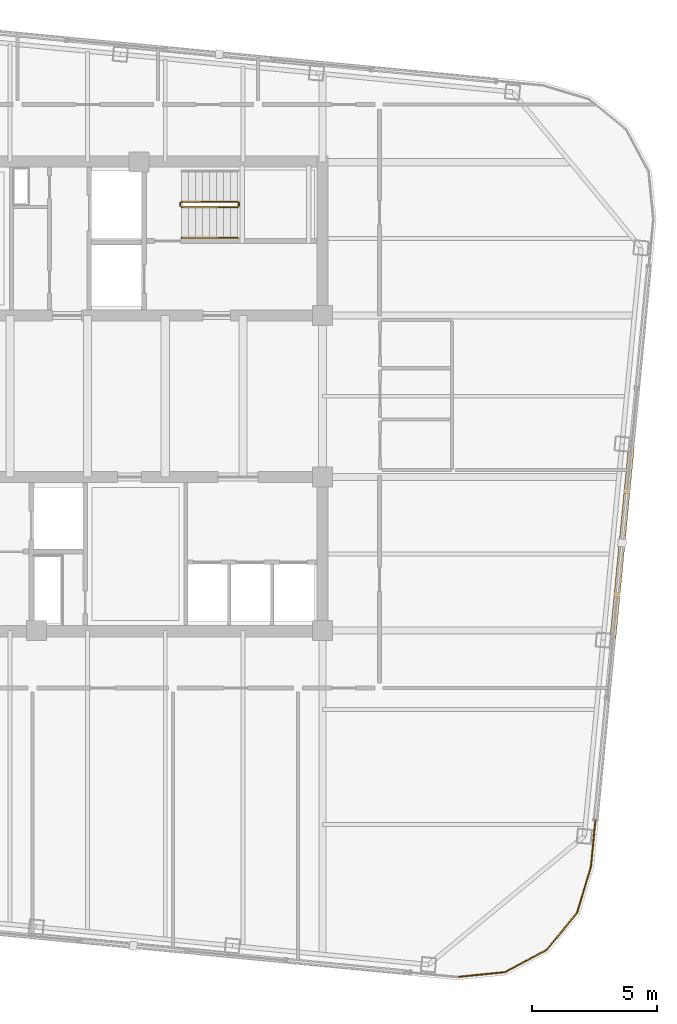
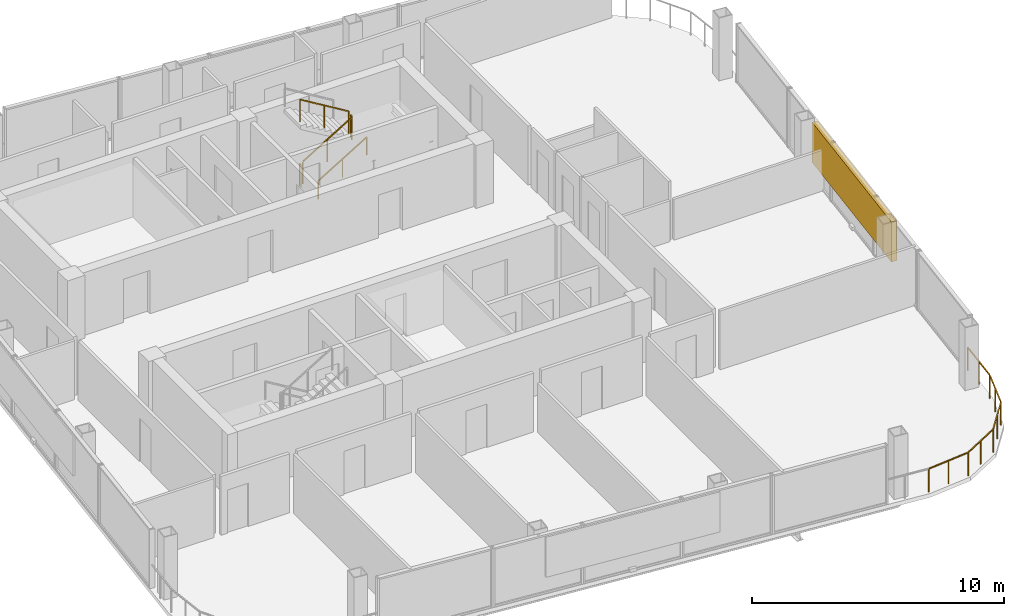
# One storey, part 21 of 22: 6 railings, 1 shading device.
"""IFC4 building model written with IfcOpenShell, lengths in metres."""

from ifc_helpers import new_model, si_unit, direction, frame, origin, origin_2d, place, context, subcontext, project, spatial, rectangle, extrude, material, type_object, element, save


model = new_model("IFC4")

# Units and contexts
model_context = context("Model", 3, precision=1e-05, world=origin(), true_north=direction((0.0, 1.0)))
body_context = subcontext(model_context, "Body", "Model", "MODEL_VIEW")
ifc_project = project(units=[si_unit("LENGTHUNIT", "METRE"), si_unit("AREAUNIT", "SQUARE_METRE"), si_unit("VOLUMEUNIT", "CUBIC_METRE"), si_unit("PLANEANGLEUNIT", "RADIAN"), si_unit("MASSUNIT", "GRAM", prefix="KILO")], contexts=[model_context])

# Site, building, storey
site_placement = place(None, origin())
site = spatial("IfcSite", under=ifc_project, at=site_placement, CompositionType="ELEMENT")
building_placement = place(site_placement, origin())
building = spatial("IfcBuilding", under=site, at=building_placement, Name="Qhalaya Broadcast Tower", CompositionType="ELEMENT")
storey_placement = place(building_placement, frame((0.0, 0.0, 252.0)))
storey = spatial("IfcBuildingStorey", under=building, at=storey_placement, Name="L74", CompositionType="ELEMENT", Elevation=252.0)

# Railings
ifc_material_1 = material(Name="Powder-Coated Galvanised Steel", Category="steel")
railing_type_1 = type_object("IfcRailingType", Name="Stair Wall Handrail 900", PredefinedType="HANDRAIL", material=ifc_material_1)
railing_1_placement = place(storey_placement, frame((3.75, 6.929931640625, 0.16943359375)))
element("IfcRailing", 1, at=railing_1_placement, inside=storey, type_object=railing_type_1, Name="L74 ST-1 Stair Handrail 1", PredefinedType="HANDRAIL", context=body_context, shape_type="SweptSolid", body=[
    extrude(rectangle(XDim=0.048095703125, YDim=0.048095703125, at=origin_2d()), frame((0.0, 0.0, 0.8759765625), z_axis=(0.855553338991, 0.0, 0.51771467445), x_axis=(0.0, 1.0, 0.0)), (0.0, 0.0, 1.0), 2.6181640625),
    extrude(rectangle(XDim=0.0419921875, YDim=0.0419921875, at=origin_2d()), origin(), (0.0, 0.0, 1.0), 0.849853515625),
    extrude(rectangle(XDim=0.0419921875, YDim=0.0419921875, at=origin_2d()), frame((1.1201171875, 0.0, 0.677734375)), (0.0, 0.0, 1.0), 0.849853515625),
    extrude(rectangle(XDim=0.0419921875, YDim=0.0419921875, at=origin_2d()), frame((2.239990234375, 0.0, 1.35546875)), (0.0, 0.0, 1.0), 0.849853515625),
])
railing_type_2 = type_object("IfcRailingType", Name="Stair Well & Landing Guardrail 1100", PredefinedType="GUARDRAIL", material=ifc_material_1)
railing_2_placement = place(storey_placement, frame((3.75, 8.14990234375, 0.16943359375)))
element("IfcRailing", 2, at=railing_2_placement, inside=storey, type_object=railing_type_2, Name="L74 ST-1 Stair Guard 1", PredefinedType="GUARDRAIL", context=body_context, shape_type="SweptSolid", body=[
    extrude(rectangle(XDim=0.048095703125, YDim=0.048095703125, at=origin_2d()), frame((0.0, 0.0, 1.076171875), z_axis=(0.855553338991, 0.0, 0.51771467445), x_axis=(0.0, 1.0, 0.0)), (0.0, 0.0, 1.0), 2.6181640625),
    extrude(rectangle(XDim=0.0419921875, YDim=0.0419921875, at=origin_2d()), origin(), (0.0, 0.0, 1.0), 1.050048828125),
    extrude(rectangle(XDim=0.0419921875, YDim=0.0419921875, at=origin_2d()), frame((1.1201171875, 0.0, 0.677734375)), (0.0, 0.0, 1.0), 1.050048828125),
    extrude(rectangle(XDim=0.0419921875, YDim=0.0419921875, at=origin_2d()), frame((2.239990234375, 0.0, 1.35546875)), (0.0, 0.0, 1.0), 1.050048828125),
])
railing_3_placement = place(storey_placement, frame((6.0400390625, 8.199951171875, 1.52490234375)))
element("IfcRailing", 3, at=railing_3_placement, inside=storey, type_object=railing_type_2, Name="L74 ST-1 Stair Guard 2", PredefinedType="GUARDRAIL", context=body_context, shape_type="SweptSolid", body=[
    extrude(rectangle(XDim=0.048095703125, YDim=0.048095703125, at=origin_2d()), frame((0.0, 0.0, 1.076171875), z_axis=(0.0, 1.0, 0.0), x_axis=(-1.0, 0.0, 0.0)), (0.0, 0.0, 1.0), 0.1201171875),
    extrude(rectangle(XDim=0.0419921875, YDim=0.0419921875, at=origin_2d()), origin(), (0.0, 0.0, 1.0), 1.050048828125),
    extrude(rectangle(XDim=0.0419921875, YDim=0.0419921875, at=origin_2d()), frame((0.0, 0.1201171875, 0.0)), (0.0, 0.0, 1.0), 1.050048828125),
])
railing_4_placement = place(storey_placement, frame((5.989990234375, 8.3701171875, 1.6943359375)))
element("IfcRailing", 4, at=railing_4_placement, inside=storey, type_object=railing_type_2, Name="L74 ST-1 Stair Guard 3", PredefinedType="GUARDRAIL", context=body_context, shape_type="SweptSolid", body=[
    extrude(rectangle(XDim=0.048095703125, YDim=0.048095703125, at=origin_2d()), frame((0.0, 0.0, 1.076171875), z_axis=(-0.855512035549, 0.0, 0.517782924622), x_axis=(0.0, -1.0, 0.0)), (0.0, 0.0, 1.0), 2.618408203125),
    extrude(rectangle(XDim=0.0419921875, YDim=0.0419921875, at=origin_2d()), origin(), (0.0, 0.0, 1.0), 1.050048828125),
    extrude(rectangle(XDim=0.0419921875, YDim=0.0419921875, at=origin_2d()), frame((-1.1201171875, 0.0, 0.677734375)), (0.0, 0.0, 1.0), 1.050048828125),
    extrude(rectangle(XDim=0.0419921875, YDim=0.0419921875, at=origin_2d()), frame((-2.239990234375, 0.0, 1.355712890625)), (0.0, 0.0, 1.0), 1.050048828125),
])
railing_5_placement = place(storey_placement, frame((3.699951171875, 8.199951171875, 0.0)))
element("IfcRailing", 5, at=railing_5_placement, inside=storey, type_object=railing_type_2, Name="L74 ST-1 Stair Guard 4", PredefinedType="GUARDRAIL", context=body_context, shape_type="SweptSolid", body=[
    extrude(rectangle(XDim=0.048095703125, YDim=0.048095703125, at=origin_2d()), frame((0.0, 0.0, 1.076171875), z_axis=(0.0, 1.0, 0.0), x_axis=(-1.0, 0.0, 0.0)), (0.0, 0.0, 1.0), 0.1201171875),
    extrude(rectangle(XDim=0.0419921875, YDim=0.0419921875, at=origin_2d()), origin(), (0.0, 0.0, 1.0), 1.050048828125),
    extrude(rectangle(XDim=0.0419921875, YDim=0.0419921875, at=origin_2d()), frame((0.0, 0.1201171875, 0.0)), (0.0, 0.0, 1.0), 1.050048828125),
])
railing_type_3 = type_object("IfcRailingType", Name="Terrace, Sky-Pool & Lookout Glass Balustrade 1150", PredefinedType="BALUSTRADE", material=ifc_material_1)
railing_6_placement = place(storey_placement, frame((20.2958984375, -16.07373046875, 0.0)))
element("IfcRailing", 6, at=railing_6_placement, inside=storey, type_object=railing_type_3, Name="L74 Rounded Corner Perimeter Guard 05", PredefinedType="BALUSTRADE", context=body_context, shape_type="SweptSolid", body=[
    extrude(rectangle(XDim=0.048095703125, YDim=0.048095703125, at=origin_2d()), frame((0.0, 0.0, 1.1259765625), z_axis=(-0.095896889673, -0.995391273094, 0.0), x_axis=(0.995391273094, -0.095896889673, 0.0)), (0.0, 0.0, 1.0), 2.08935546875),
    extrude(rectangle(XDim=0.048095703125, YDim=0.048095703125, at=origin_2d()), frame((-0.21142578125, -2.135986328125, 1.1259765625), z_axis=(-0.288096282124, -0.957601447485, 0.0), x_axis=(0.957601447485, -0.288096282124, 0.0)), (0.0, 0.0, 1.0), 1.857421875),
    extrude(rectangle(XDim=0.048095703125, YDim=0.048095703125, at=origin_2d()), frame((-0.773193359375, -3.96484375, 1.1259765625), z_axis=(-0.63274871945, -0.774357190213, 0.0), x_axis=(0.774357190213, -0.63274871945, 0.0)), (0.0, 0.0, 1.0), 1.845703125),
    extrude(rectangle(XDim=0.048095703125, YDim=0.048095703125, at=origin_2d()), frame((-1.984619140625, -5.429931640625, 1.1259765625), z_axis=(-0.880932037714, -0.473242797018, 0.0), x_axis=(0.473242797018, -0.880932037714, 0.0)), (0.0, 0.0, 1.0), 1.845458984375),
    extrude(rectangle(XDim=0.048095703125, YDim=0.048095703125, at=origin_2d()), frame((-3.66455078125, -6.31982421875, 1.1259765625), z_axis=(-0.994967529225, -0.100197883148, 0.0), x_axis=(0.100197883148, -0.994967529225, 0.0)), (0.0, 0.0, 1.0), 1.88623046875),
    extrude(rectangle(XDim=0.0419921875, YDim=0.0419921875, at=origin_2d()), origin(), (0.0, 0.0, 1.0), 1.099853515625),
    extrude(rectangle(XDim=0.0419921875, YDim=0.0419921875, at=origin_2d()), frame((-0.1015625, -1.05419921875, 0.0)), (0.0, 0.0, 1.0), 1.099853515625),
    extrude(rectangle(XDim=0.0419921875, YDim=0.0419921875, at=origin_2d()), frame((-0.203125, -2.1083984375, 0.0)), (0.0, 0.0, 1.0), 1.099853515625),
    extrude(rectangle(XDim=0.0419921875, YDim=0.0419921875, at=origin_2d()), frame((-0.47900390625, -3.025390625, 0.0)), (0.0, 0.0, 1.0), 1.099853515625),
    extrude(rectangle(XDim=0.0419921875, YDim=0.0419921875, at=origin_2d()), frame((-0.7548828125, -3.9423828125, 0.0)), (0.0, 0.0, 1.0), 1.099853515625),
    extrude(rectangle(XDim=0.0419921875, YDim=0.0419921875, at=origin_2d()), frame((-1.35693359375, -4.67919921875, 0.0)), (0.0, 0.0, 1.0), 1.099853515625),
    extrude(rectangle(XDim=0.0419921875, YDim=0.0419921875, at=origin_2d()), frame((-1.959228515625, -5.416259765625, 0.0)), (0.0, 0.0, 1.0), 1.099853515625),
    extrude(rectangle(XDim=0.0419921875, YDim=0.0419921875, at=origin_2d()), frame((-2.79736328125, -5.86669921875, 0.0)), (0.0, 0.0, 1.0), 1.099853515625),
    extrude(rectangle(XDim=0.0419921875, YDim=0.0419921875, at=origin_2d()), frame((-3.6357421875, -6.31689453125, 0.0)), (0.0, 0.0, 1.0), 1.099853515625),
    extrude(rectangle(XDim=0.0419921875, YDim=0.0419921875, at=origin_2d()), frame((-4.58837890625, -6.412841796875, 0.0)), (0.0, 0.0, 1.0), 1.099853515625),
    extrude(rectangle(XDim=0.0419921875, YDim=0.0419921875, at=origin_2d()), frame((-5.541259765625, -6.5087890625, 0.0)), (0.0, 0.0, 1.0), 1.099853515625),
])

# Shading device
ifc_material_2 = material(Name="Fired Architectural Terracotta", Category="masonry")
shading_device_type = type_object("IfcShadingDeviceType", Name="Terracotta Baguette Solar Screen Assembly TBS-01", PredefinedType="USERDEFINED", material=ifc_material_2)
shading_device_placement = place(storey_placement, frame((21.337646484375, -5.25390625, 0.80078125), z_axis=(0.0, 0.0, 1.0), x_axis=(0.09584575252, 0.995396198367, 0.0)))
element("IfcShadingDevice", 7, at=shading_device_placement, inside=storey, type_object=shading_device_type, Name="L74 Fired Terracotta Baguette Screen E", ObjectType="BAGUETTE", PredefinedType="USERDEFINED", context=body_context, shape_type="SweptSolid", body=[
    extrude(rectangle(XDim=7.60009765625, YDim=0.239990234375, at=origin_2d()), origin(), (0.0, 0.0, 1.0), 1.945068359375),
])

save(model, "model.ifc")
